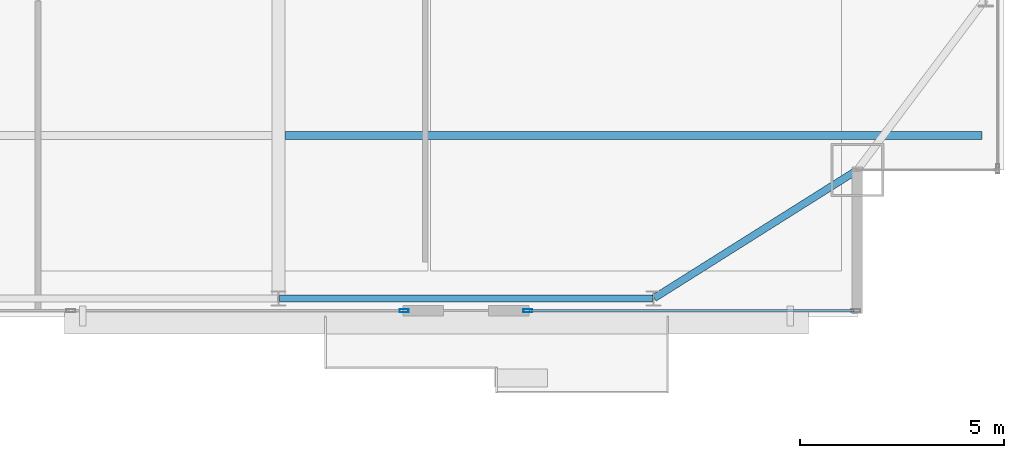
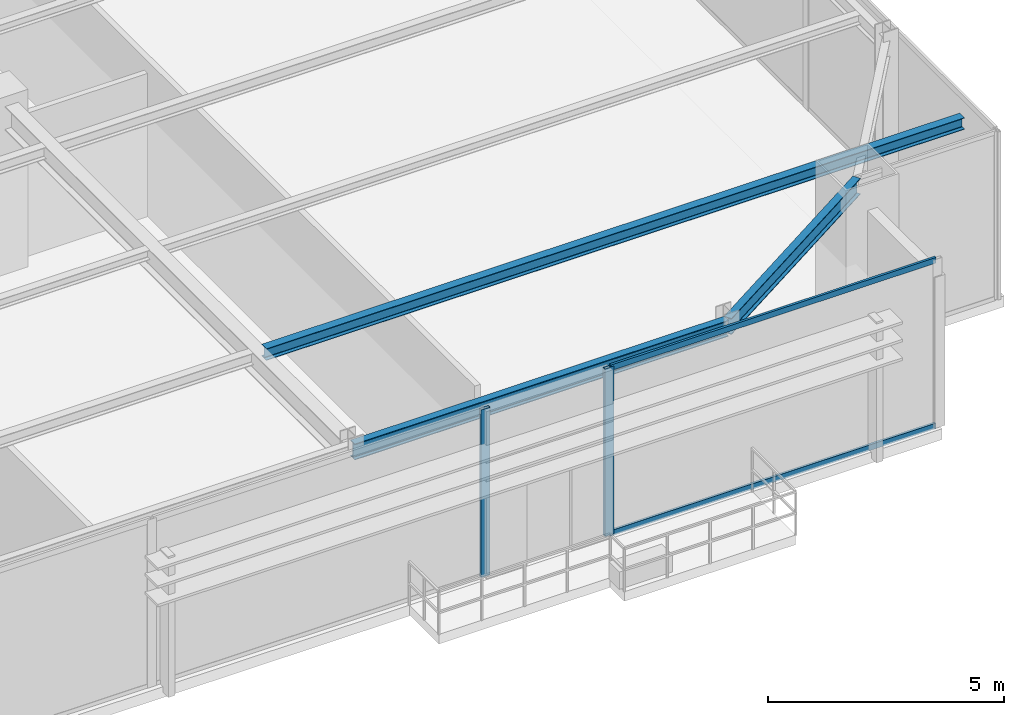
# One storey, part 13 of 25: 4 members, 3 beams, 2 elements without a shape of their own.
"""IFC4 building model written with IfcOpenShell, lengths in metres."""

from ifc_helpers import new_model, si_unit, direction, frame, origin, origin_2d, place, context, subcontext, project, spatial, hollow_rectangle, i_section, extrude, source, transform, mapped, material, layer, layer_set, material_profile, profile_set, type_object, type_shapes, element, aggregate, save


model = new_model("IFC4")

# Units and contexts
model_context = context("Model", 3, precision=1e-05, world=origin(), true_north=direction((0.0, 1.0)))
body_context = subcontext(model_context, "Body", "Model", "MODEL_VIEW")
ifc_project = project(units=[si_unit("LENGTHUNIT", "METRE"), si_unit("AREAUNIT", "SQUARE_METRE"), si_unit("VOLUMEUNIT", "CUBIC_METRE"), si_unit("PLANEANGLEUNIT", "RADIAN"), si_unit("MASSUNIT", "GRAM", prefix="KILO")], contexts=[model_context])

# Site, building, storey
site_placement = place(None, origin())
site = spatial("IfcSite", under=ifc_project, at=site_placement, CompositionType="ELEMENT")
building_placement = place(site_placement, origin())
building = spatial("IfcBuilding", under=site, at=building_placement, Name="Varnel Quay Broadcast Tower", CompositionType="ELEMENT")
storey_placement = place(building_placement, frame((0.0, 0.0, 191.39990234375)))
storey = spatial("IfcBuildingStorey", under=building, at=storey_placement, Name="L47", CompositionType="ELEMENT", Elevation=191.39990234375)

# Beams
ifc_material_1 = material(Name="Structural Steel CSA G40.21 350W", Category="steel")
ifc_material_profile_1 = material_profile(ifc_material_1, i_section(OverallWidth=0.180908203125, OverallDepth=0.4169921875, WebThickness=0.010986328125, FlangeThickness=0.018310546875, FilletRadius=0.011962890625, at=origin_2d()), Name="W410X85")
ifc_profile_set_1 = profile_set([ifc_material_profile_1], Name="Structural Steel CSA G40.21 350W")
beam_type_1 = type_object("IfcBeamType", Name="Beam_W410X85", PredefinedType="SPANDREL", material=ifc_profile_set_1)
shared_shape_1 = source(origin(), body_context, "Body", "SweptSolid", [
    extrude(i_section(OverallWidth=0.180908203125, OverallDepth=0.4169921875, WebThickness=0.010986328125, FlangeThickness=0.018310546875, FilletRadius=0.011962890625, at=origin_2d()), origin(), (0.0, 0.0, 1.0), 9.159912109375),
])
beam_1_placement = place(storey_placement, frame((43.219970703125, 7.64990234375, 4.1416015625), z_axis=(1.0, 0.0, 0.0), x_axis=(0.0, 1.0, 0.0)))
element("IfcBeam", 1, at=beam_1_placement, inside=storey, type_object=beam_type_1, Name="L47 South Spandrel TC-S4-TC-S5", PredefinedType="SPANDREL", context=body_context, shape_type="MappedRepresentation", body=[
    mapped(shared_shape_1, transform((0.0, 0.0, 0.0), x_axis=(1.0, 0.0, 0.0), y_axis=(0.0, 1.0, 0.0), z_axis=(0.0, 0.0, 1.0), scale=1.0)),
])
shared_shape_2 = source(origin(), body_context, "Body", "SweptSolid", [
    extrude(i_section(OverallWidth=0.180908203125, OverallDepth=0.4169921875, WebThickness=0.010986328125, FlangeThickness=0.018310546875, FilletRadius=0.011962890625, at=origin_2d()), origin(), (0.0, 0.0, 1.0), 5.869384765625),
])
type_shapes(beam_type_1, [shared_shape_1, shared_shape_2])
beam_2_placement = place(storey_placement, frame((52.4169921875, 7.66064453125, 4.1416015625), z_axis=(0.846088328928, 0.533042718412, 0.0), x_axis=(-0.533042718412, 0.846088328928, 0.0)))
element("IfcBeam", 2, at=beam_2_placement, inside=storey, type_object=beam_type_1, Name="L47 South Spandrel TC-S5-MC-SE", PredefinedType="SPANDREL", context=body_context, shape_type="MappedRepresentation", body=[
    mapped(shared_shape_2, transform((0.0, 0.0, 0.0), x_axis=(1.0, 0.0, 0.0), y_axis=(0.0, 1.0, 0.0), z_axis=(0.0, 0.0, 1.0), scale=1.0)),
])
ifc_material_profile_2 = material_profile(ifc_material_1, i_section(OverallWidth=0.202880859375, OverallDepth=0.302978515625, WebThickness=0.007568359375, FlangeThickness=0.01318359375, FilletRadius=0.011962890625, at=origin_2d()), Name="W310X60")
ifc_profile_set_2 = profile_set([ifc_material_profile_2], Name="Structural Steel CSA G40.21 350W")
beam_type_2 = type_object("IfcBeamType", Name="Beam_W310X60", PredefinedType="JOIST", material=ifc_profile_set_2)
shared_shape_3 = source(origin(), body_context, "Body", "SweptSolid", [
    extrude(i_section(OverallWidth=0.202880859375, OverallDepth=0.302978515625, WebThickness=0.007568359375, FlangeThickness=0.01318359375, FilletRadius=0.011962890625, at=origin_2d()), origin(), (0.0, 0.0, 1.0), 17.107177734375),
])
type_shapes(beam_type_2, [shared_shape_3])
beam_3_placement = place(storey_placement, frame((43.357421875, 11.64990234375, 4.198486328125), z_axis=(1.0, 0.0, 0.0), x_axis=(0.0, 1.0, 0.0)))
element("IfcBeam", 3, at=beam_3_placement, inside=storey, type_object=beam_type_2, Name="L47 East Floor Joist 1", PredefinedType="JOIST", context=body_context, shape_type="MappedRepresentation", body=[
    mapped(shared_shape_3, transform((0.0, 0.0, 0.0), x_axis=(1.0, 0.0, 0.0), y_axis=(0.0, 1.0, 0.0), z_axis=(0.0, 0.0, 1.0), scale=1.0)),
])

# Curtain wall, member
ifc_material_2 = material(Name="Anodised Bronze Aluminium 6063-T6", Category="aluminium")
ifc_layer = layer(ifc_material_2, 0.18994140625, Name="Anodised Bronze Aluminium 6063-T6")
ifc_layer_set = layer_set([ifc_layer], Name="Anodised Bronze Aluminium 6063-T6")
curtain_wall_type = type_object("IfcCurtainWallType", Name="CW_SkyObsHighVis", PredefinedType="NOTDEFINED", material=ifc_layer_set)
curtain_wall_1_placement = place(storey_placement, origin())
curtain_wall_1 = element("IfcCurtainWall", 4, at=curtain_wall_1_placement, inside=storey, type_object=curtain_wall_type, Name="L47 South Unitised Curtain Wall 2", PredefinedType="NOTDEFINED")
ifc_material_profile_3 = material_profile(ifc_material_2, hollow_rectangle(XDim=0.074951171875, YDim=0.219970703125, WallThickness=0.00390625, at=origin_2d()), Name="ALU75X220X4")
ifc_profile_set_3 = profile_set([ifc_material_profile_3], Name="Anodised Bronze Aluminium 6063-T6")
member_type_1 = type_object("IfcMemberType", Name="Mull_CWS-05", PredefinedType="MULLION", material=ifc_profile_set_3)
shared_shape_4 = source(origin(), body_context, "Body", "SweptSolid", [
    extrude(hollow_rectangle(XDim=0.074951171875, YDim=0.219970703125, WallThickness=0.00390625, at=origin_2d()), origin(), (0.0, 0.0, 1.0), 4.35009765625),
])
type_shapes(member_type_1, [shared_shape_4])
member_1_placement = place(storey_placement, frame((46.282470703125, 7.35009765625, 0.0), z_axis=(0.0, 0.0, 1.0), x_axis=(0.0, 1.0, 0.0)))
member_1 = element("IfcMember", 5, at=member_1_placement, type_object=member_type_1, Name="CWS-05 mullion 4", PredefinedType="MULLION", context=body_context, shape_type="MappedRepresentation", body=[
    mapped(shared_shape_4, transform((0.0, 0.0, 0.0), x_axis=(1.0, 0.0, 0.0), y_axis=(0.0, 1.0, 0.0), z_axis=(0.0, 0.0, 1.0), scale=1.0)),
])
aggregate(curtain_wall_1, [member_1])

# Curtain wall, members
curtain_wall_2_placement = place(storey_placement, origin())
curtain_wall_2 = element("IfcCurtainWall", 6, at=curtain_wall_2_placement, inside=storey, type_object=curtain_wall_type, Name="L47 South Unitised Curtain Wall 3", PredefinedType="NOTDEFINED")
member_2_placement = place(storey_placement, frame((49.3173828125, 7.35009765625, 0.0), z_axis=(0.0, 0.0, 1.0), x_axis=(0.0, 1.0, 0.0)))
member_2 = element("IfcMember", 7, at=member_2_placement, type_object=member_type_1, Name="CWS-05 mullion 1", PredefinedType="MULLION", context=body_context, shape_type="MappedRepresentation", body=[
    mapped(shared_shape_4, transform((0.0, 0.0, 0.0), x_axis=(1.0, 0.0, 0.0), y_axis=(0.0, 1.0, 0.0), z_axis=(0.0, 0.0, 1.0), scale=1.0)),
])
ifc_material_profile_4 = material_profile(ifc_material_2, hollow_rectangle(XDim=0.06005859375, YDim=0.14501953125, WallThickness=0.00341796875, at=origin_2d()), Name="ALU60X145X3.5")
ifc_profile_set_4 = profile_set([ifc_material_profile_4], Name="Anodised Bronze Aluminium 6063-T6")
member_type_2 = type_object("IfcMemberType", Name="Tran_CWS-05", PredefinedType="USERDEFINED", material=ifc_profile_set_4)
shared_shape_5 = source(origin(), body_context, "Body", "SweptSolid", [
    extrude(hollow_rectangle(XDim=0.06005859375, YDim=0.14501953125, WallThickness=0.00341796875, at=origin_2d()), origin(), (0.0, 0.0, 1.0), 7.969970703125),
])
type_shapes(member_type_2, [shared_shape_5])
member_3_placement = place(storey_placement, frame((49.35498046875, 7.35009765625, 0.030029296875), z_axis=(1.0, 0.0, 0.0), x_axis=(0.0, 1.0, 0.0)))
member_3 = element("IfcMember", 8, at=member_3_placement, type_object=member_type_2, Name="CWS-05 transom 1.1", ObjectType="TRANSOM", PredefinedType="USERDEFINED", context=body_context, shape_type="MappedRepresentation", body=[
    mapped(shared_shape_5, transform((0.0, 0.0, 0.0), x_axis=(1.0, 0.0, 0.0), y_axis=(0.0, 1.0, 0.0), z_axis=(0.0, 0.0, 1.0), scale=1.0)),
])
member_4_placement = place(storey_placement, frame((49.35498046875, 7.35009765625, 4.320068359375), z_axis=(1.0, 0.0, 0.0), x_axis=(0.0, 1.0, 0.0)))
member_4 = element("IfcMember", 9, at=member_4_placement, type_object=member_type_2, Name="CWS-05 transom 1.2", ObjectType="TRANSOM", PredefinedType="USERDEFINED", context=body_context, shape_type="MappedRepresentation", body=[
    mapped(shared_shape_5, transform((0.0, 0.0, 0.0), x_axis=(1.0, 0.0, 0.0), y_axis=(0.0, 1.0, 0.0), z_axis=(0.0, 0.0, 1.0), scale=1.0)),
])
aggregate(curtain_wall_2, [member_2, member_3, member_4])

save(model, "model.ifc")
